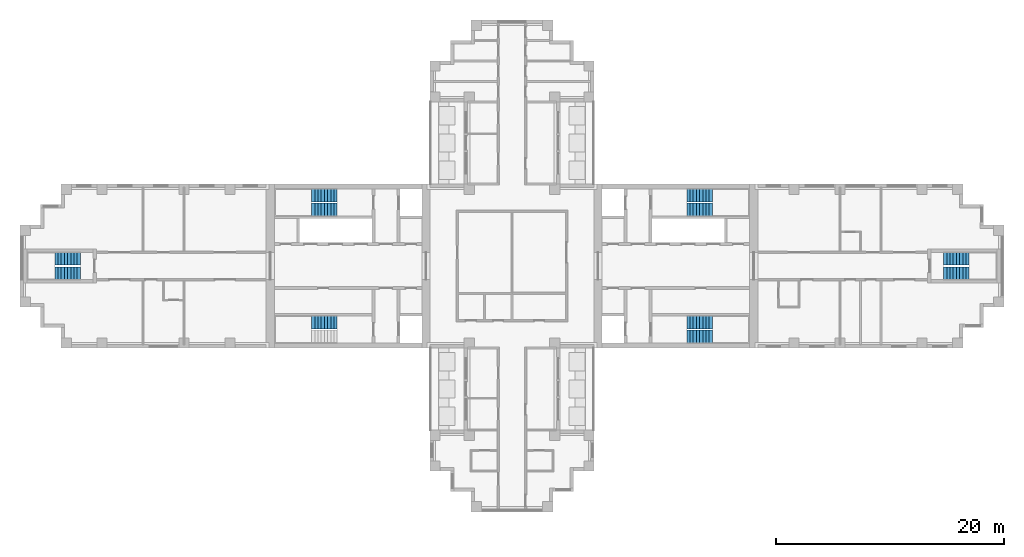
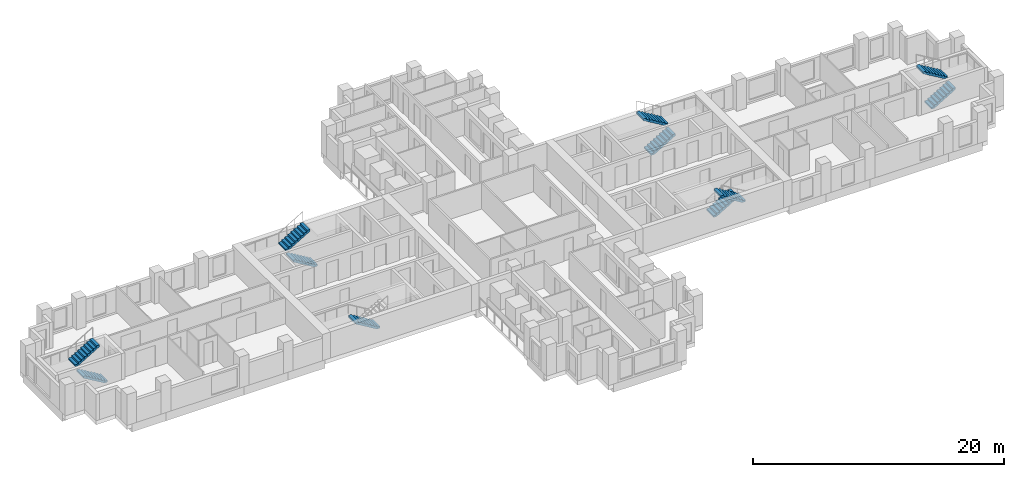
# One storey, part 10 of 12: 11 stair flights, 6 elements without a shape of their own.
"""IFC4 building model written with IfcOpenShell, lengths in metres."""

from ifc_helpers import new_model, si_unit, direction, frame, origin, place, context, subcontext, project, spatial, polyline, outline, extrude, material, type_object, element, aggregate, save


model = new_model("IFC4")

# Units and contexts
model_context = context("Model", 3, precision=1e-05, world=origin(), true_north=direction((0.0, 1.0)))
body_context = subcontext(model_context, "Body", "Model", "MODEL_VIEW")
ifc_project = project(units=[si_unit("LENGTHUNIT", "METRE"), si_unit("AREAUNIT", "SQUARE_METRE"), si_unit("VOLUMEUNIT", "CUBIC_METRE"), si_unit("PLANEANGLEUNIT", "RADIAN"), si_unit("MASSUNIT", "GRAM", prefix="KILO")], contexts=[model_context])

# Site, building, storey
site_placement = place(None, origin())
site = spatial("IfcSite", under=ifc_project, at=site_placement, CompositionType="ELEMENT")
building_placement = place(site_placement, origin())
building = spatial("IfcBuilding", under=site, at=building_placement, Name="Fustian Cross Tower", CompositionType="ELEMENT")
storey_placement = place(building_placement, frame((0.0, 0.0, 159.300048828125)))
storey = spatial("IfcBuildingStorey", under=building, at=storey_placement, Name="L50", CompositionType="ELEMENT", Elevation=159.300048828125)

# Stair, stair flights
ifc_material_1 = material(Name="Concrete C50/60", Category="concrete")
stair_type_1 = type_object("IfcStairType", Name="STAIR 1100 HALF TURN", PredefinedType="HALF_TURN_STAIR", material=ifc_material_1)
stair_1_placement = place(storey_placement, origin())
stair_1 = element("IfcStair", 1, at=stair_1_placement, inside=storey, type_object=stair_type_1, Name="Stair ST8", PredefinedType="HALF_TURN_STAIR")
ifc_material_2 = material(Name="Concrete C50/60", Category="concrete")
stair_flight_type_1 = type_object("IfcStairFlightType", Name="STAIR FLIGHT 1100", PredefinedType="STRAIGHT", material=ifc_material_2)
stair_flight_1_placement = place(storey_placement, frame((37.89990234375, -0.64990234375, 0.0), z_axis=(0.0, 0.0, 1.0), x_axis=(1.0, 0.0, 0.0)))
stair_flight_1 = element("IfcStairFlight", 2, at=stair_flight_1_placement, type_object=stair_flight_type_1, Name="ST8 flight 1", NumberOfRisers=9, NumberOfTreads=8, PredefinedType="STRAIGHT", RiserHeight=0.166666667, TreadLength=0.28, context=body_context, shape_type="SweptSolid", body=[
    extrude(outline(polyline([(0.0, 0.0), (0.0, 0.166748046875), (0.280029296875, 0.166748046875), (0.280029296875, 0.333251953125), (0.56005859375, 0.333251953125), (0.56005859375, 0.5), (0.840087890625, 0.5), (0.840087890625, 0.666748046875), (1.1201171875, 0.666748046875), (1.1201171875, 0.833251953125), (1.39990234375, 0.833251953125), (1.39990234375, 1.0), (1.679931640625, 1.0), (1.679931640625, 1.166748046875), (1.9599609375, 1.166748046875), (1.9599609375, 1.333251953125), (2.239990234375, 1.333251953125), (2.239990234375, 1.5), (2.239990234375, 1.158935546875), (0.29296875, 0.0), (0.0, 0.0)])), frame((0.0, 0.550048828125, 0.0), z_axis=(0.0, -1.0, 0.0), x_axis=(1.0, 0.0, 0.0)), (0.0, 0.0, 1.0), 1.10009765625),
])
stair_flight_2_placement = place(storey_placement, frame((40.139892578125, 0.64990234375, 1.5), z_axis=(0.0, 0.0, 1.0), x_axis=(-1.0, 0.0, 0.0)))
stair_flight_2 = element("IfcStairFlight", 3, at=stair_flight_2_placement, type_object=stair_flight_type_1, Name="ST8 flight 2", NumberOfRisers=9, NumberOfTreads=8, PredefinedType="STRAIGHT", RiserHeight=0.166666667, TreadLength=0.28, context=body_context, shape_type="SweptSolid", body=[
    extrude(outline(polyline([(0.0, 0.0), (0.0, 0.166748046875), (0.280029296875, 0.166748046875), (0.280029296875, 0.333251953125), (0.56005859375, 0.333251953125), (0.56005859375, 0.5), (0.840087890625, 0.5), (0.840087890625, 0.666748046875), (1.1201171875, 0.666748046875), (1.1201171875, 0.833251953125), (1.39990234375, 0.833251953125), (1.39990234375, 1.0), (1.679931640625, 1.0), (1.679931640625, 1.166748046875), (1.9599609375, 1.166748046875), (1.9599609375, 1.333251953125), (2.239990234375, 1.333251953125), (2.239990234375, 1.5), (2.239990234375, 1.158935546875), (0.29296875, 0.0), (0.0, 0.0)])), frame((0.0, 0.550048828125, 0.0), z_axis=(0.0, -1.0, 0.0), x_axis=(1.0, 0.0, 0.0)), (0.0, 0.0, 1.0), 1.10009765625),
])
aggregate(stair_1, [stair_flight_1, stair_flight_2])

stair_2_placement = place(storey_placement, origin())
stair_2 = element("IfcStair", 4, at=stair_2_placement, inside=storey, type_object=stair_type_1, Name="Stair ST9", PredefinedType="HALF_TURN_STAIR")
stair_flight_3_placement = place(storey_placement, frame((-37.89990234375, -0.64990234375, 0.0), z_axis=(0.0, 0.0, 1.0), x_axis=(-1.0, 0.0, 0.0)))
stair_flight_3 = element("IfcStairFlight", 5, at=stair_flight_3_placement, type_object=stair_flight_type_1, Name="ST9 flight 1", NumberOfRisers=9, NumberOfTreads=8, PredefinedType="STRAIGHT", RiserHeight=0.166666667, TreadLength=0.28, context=body_context, shape_type="SweptSolid", body=[
    extrude(outline(polyline([(0.0, 0.0), (0.0, 0.166748046875), (0.280029296875, 0.166748046875), (0.280029296875, 0.333251953125), (0.56005859375, 0.333251953125), (0.56005859375, 0.5), (0.840087890625, 0.5), (0.840087890625, 0.666748046875), (1.1201171875, 0.666748046875), (1.1201171875, 0.833251953125), (1.39990234375, 0.833251953125), (1.39990234375, 1.0), (1.679931640625, 1.0), (1.679931640625, 1.166748046875), (1.9599609375, 1.166748046875), (1.9599609375, 1.333251953125), (2.239990234375, 1.333251953125), (2.239990234375, 1.5), (2.239990234375, 1.158935546875), (0.29296875, 0.0), (0.0, 0.0)])), frame((0.0, 0.550048828125, 0.0), z_axis=(0.0, -1.0, 0.0), x_axis=(1.0, 0.0, 0.0)), (0.0, 0.0, 1.0), 1.10009765625),
])
stair_flight_4_placement = place(storey_placement, frame((-40.139892578125, 0.64990234375, 1.5), z_axis=(0.0, 0.0, 1.0), x_axis=(1.0, 0.0, 0.0)))
stair_flight_4 = element("IfcStairFlight", 6, at=stair_flight_4_placement, type_object=stair_flight_type_1, Name="ST9 flight 2", NumberOfRisers=9, NumberOfTreads=8, PredefinedType="STRAIGHT", RiserHeight=0.166666667, TreadLength=0.28, context=body_context, shape_type="SweptSolid", body=[
    extrude(outline(polyline([(0.0, 0.0), (0.0, 0.166748046875), (0.280029296875, 0.166748046875), (0.280029296875, 0.333251953125), (0.56005859375, 0.333251953125), (0.56005859375, 0.5), (0.840087890625, 0.5), (0.840087890625, 0.666748046875), (1.1201171875, 0.666748046875), (1.1201171875, 0.833251953125), (1.39990234375, 0.833251953125), (1.39990234375, 1.0), (1.679931640625, 1.0), (1.679931640625, 1.166748046875), (1.9599609375, 1.166748046875), (1.9599609375, 1.333251953125), (2.239990234375, 1.333251953125), (2.239990234375, 1.5), (2.239990234375, 1.158935546875), (0.29296875, 0.0), (0.0, 0.0)])), frame((0.0, 0.550048828125, 0.0), z_axis=(0.0, -1.0, 0.0), x_axis=(1.0, 0.0, 0.0)), (0.0, 0.0, 1.0), 1.10009765625),
])
aggregate(stair_2, [stair_flight_3, stair_flight_4])

ifc_material_3 = material(Name="Concrete C50/60", Category="concrete")
stair_type_2 = type_object("IfcStairType", Name="STAIR 1150 HALF TURN", PredefinedType="HALF_TURN_STAIR", material=ifc_material_3)
stair_3_placement = place(storey_placement, origin())
stair_3 = element("IfcStair", 7, at=stair_3_placement, inside=storey, type_object=stair_type_2, Name="Stair ST1", PredefinedType="HALF_TURN_STAIR")
ifc_material_4 = material(Name="Concrete C50/60", Category="concrete")
stair_flight_type_2 = type_object("IfcStairFlightType", Name="STAIR FLIGHT 1150", PredefinedType="STRAIGHT", material=ifc_material_4)
stair_flight_5_placement = place(storey_placement, frame((15.35009765625, 4.97509765625, 0.0), z_axis=(0.0, 0.0, 1.0), x_axis=(1.0, 0.0, 0.0)))
stair_flight_5 = element("IfcStairFlight", 8, at=stair_flight_5_placement, type_object=stair_flight_type_2, Name="ST1 flight 1", NumberOfRisers=9, NumberOfTreads=8, PredefinedType="STRAIGHT", RiserHeight=0.166666667, TreadLength=0.28, context=body_context, shape_type="SweptSolid", body=[
    extrude(outline(polyline([(0.0, 0.0), (0.0, 0.166748046875), (0.280029296875, 0.166748046875), (0.280029296875, 0.333251953125), (0.56005859375, 0.333251953125), (0.56005859375, 0.5), (0.840087890625, 0.5), (0.840087890625, 0.666748046875), (1.1201171875, 0.666748046875), (1.1201171875, 0.833251953125), (1.39990234375, 0.833251953125), (1.39990234375, 1.0), (1.679931640625, 1.0), (1.679931640625, 1.166748046875), (1.9599609375, 1.166748046875), (1.9599609375, 1.333251953125), (2.239990234375, 1.333251953125), (2.239990234375, 1.5), (2.239990234375, 1.158935546875), (0.29296875, 0.0), (0.0, 0.0)])), frame((0.0, 0.574951171875, 0.0), z_axis=(0.0, -1.0, 0.0), x_axis=(1.0, 0.0, 0.0)), (0.0, 0.0, 1.0), 1.14990234375),
])
stair_flight_6_placement = place(storey_placement, frame((17.590087890625, 6.175048828125, 1.5), z_axis=(0.0, 0.0, 1.0), x_axis=(-1.0, 0.0, 0.0)))
stair_flight_6 = element("IfcStairFlight", 9, at=stair_flight_6_placement, type_object=stair_flight_type_2, Name="ST1 flight 2", NumberOfRisers=9, NumberOfTreads=8, PredefinedType="STRAIGHT", RiserHeight=0.166666667, TreadLength=0.28, context=body_context, shape_type="SweptSolid", body=[
    extrude(outline(polyline([(0.0, 0.0), (0.0, 0.166748046875), (0.280029296875, 0.166748046875), (0.280029296875, 0.333251953125), (0.56005859375, 0.333251953125), (0.56005859375, 0.5), (0.840087890625, 0.5), (0.840087890625, 0.666748046875), (1.1201171875, 0.666748046875), (1.1201171875, 0.833251953125), (1.39990234375, 0.833251953125), (1.39990234375, 1.0), (1.679931640625, 1.0), (1.679931640625, 1.166748046875), (1.9599609375, 1.166748046875), (1.9599609375, 1.333251953125), (2.239990234375, 1.333251953125), (2.239990234375, 1.5), (2.239990234375, 1.158935546875), (0.29296875, 0.0), (0.0, 0.0)])), frame((0.0, 0.574951171875, 0.0), z_axis=(0.0, -1.0, 0.0), x_axis=(1.0, 0.0, 0.0)), (0.0, 0.0, 1.0), 1.14990234375),
])
aggregate(stair_3, [stair_flight_5, stair_flight_6])

stair_4_placement = place(storey_placement, origin())
stair_4 = element("IfcStair", 10, at=stair_4_placement, inside=storey, type_object=stair_type_2, Name="Stair ST2", PredefinedType="HALF_TURN_STAIR")
stair_flight_7_placement = place(storey_placement, frame((15.35009765625, -4.97509765625, 0.0), z_axis=(0.0, 0.0, 1.0), x_axis=(1.0, 0.0, 0.0)))
stair_flight_7 = element("IfcStairFlight", 11, at=stair_flight_7_placement, type_object=stair_flight_type_2, Name="ST2 flight 1", NumberOfRisers=9, NumberOfTreads=8, PredefinedType="STRAIGHT", RiserHeight=0.166666667, TreadLength=0.28, context=body_context, shape_type="SweptSolid", body=[
    extrude(outline(polyline([(0.0, 0.0), (0.0, 0.166748046875), (0.280029296875, 0.166748046875), (0.280029296875, 0.333251953125), (0.56005859375, 0.333251953125), (0.56005859375, 0.5), (0.840087890625, 0.5), (0.840087890625, 0.666748046875), (1.1201171875, 0.666748046875), (1.1201171875, 0.833251953125), (1.39990234375, 0.833251953125), (1.39990234375, 1.0), (1.679931640625, 1.0), (1.679931640625, 1.166748046875), (1.9599609375, 1.166748046875), (1.9599609375, 1.333251953125), (2.239990234375, 1.333251953125), (2.239990234375, 1.5), (2.239990234375, 1.158935546875), (0.29296875, 0.0), (0.0, 0.0)])), frame((0.0, 0.574951171875, 0.0), z_axis=(0.0, -1.0, 0.0), x_axis=(1.0, 0.0, 0.0)), (0.0, 0.0, 1.0), 1.14990234375),
])
stair_flight_8_placement = place(storey_placement, frame((17.590087890625, -6.175048828125, 1.5), z_axis=(0.0, 0.0, 1.0), x_axis=(-1.0, 0.0, 0.0)))
stair_flight_8 = element("IfcStairFlight", 12, at=stair_flight_8_placement, type_object=stair_flight_type_2, Name="ST2 flight 2", NumberOfRisers=9, NumberOfTreads=8, PredefinedType="STRAIGHT", RiserHeight=0.166666667, TreadLength=0.28, context=body_context, shape_type="SweptSolid", body=[
    extrude(outline(polyline([(0.0, 0.0), (0.0, 0.166748046875), (0.280029296875, 0.166748046875), (0.280029296875, 0.333251953125), (0.56005859375, 0.333251953125), (0.56005859375, 0.5), (0.840087890625, 0.5), (0.840087890625, 0.666748046875), (1.1201171875, 0.666748046875), (1.1201171875, 0.833251953125), (1.39990234375, 0.833251953125), (1.39990234375, 1.0), (1.679931640625, 1.0), (1.679931640625, 1.166748046875), (1.9599609375, 1.166748046875), (1.9599609375, 1.333251953125), (2.239990234375, 1.333251953125), (2.239990234375, 1.5), (2.239990234375, 1.158935546875), (0.29296875, 0.0), (0.0, 0.0)])), frame((0.0, 0.574951171875, 0.0), z_axis=(0.0, -1.0, 0.0), x_axis=(1.0, 0.0, 0.0)), (0.0, 0.0, 1.0), 1.14990234375),
])
aggregate(stair_4, [stair_flight_7, stair_flight_8])

stair_5_placement = place(storey_placement, origin())
stair_5 = element("IfcStair", 13, at=stair_5_placement, inside=storey, type_object=stair_type_2, Name="Stair ST3", PredefinedType="HALF_TURN_STAIR")
stair_flight_9_placement = place(storey_placement, frame((-15.35009765625, 4.97509765625, 0.0), z_axis=(0.0, 0.0, 1.0), x_axis=(-1.0, 0.0, 0.0)))
stair_flight_9 = element("IfcStairFlight", 14, at=stair_flight_9_placement, type_object=stair_flight_type_2, Name="ST3 flight 1", NumberOfRisers=9, NumberOfTreads=8, PredefinedType="STRAIGHT", RiserHeight=0.166666667, TreadLength=0.28, context=body_context, shape_type="SweptSolid", body=[
    extrude(outline(polyline([(0.0, 0.0), (0.0, 0.166748046875), (0.280029296875, 0.166748046875), (0.280029296875, 0.333251953125), (0.56005859375, 0.333251953125), (0.56005859375, 0.5), (0.840087890625, 0.5), (0.840087890625, 0.666748046875), (1.1201171875, 0.666748046875), (1.1201171875, 0.833251953125), (1.39990234375, 0.833251953125), (1.39990234375, 1.0), (1.679931640625, 1.0), (1.679931640625, 1.166748046875), (1.9599609375, 1.166748046875), (1.9599609375, 1.333251953125), (2.239990234375, 1.333251953125), (2.239990234375, 1.5), (2.239990234375, 1.158935546875), (0.29296875, 0.0), (0.0, 0.0)])), frame((0.0, 0.574951171875, 0.0), z_axis=(0.0, -1.0, 0.0), x_axis=(1.0, 0.0, 0.0)), (0.0, 0.0, 1.0), 1.14990234375),
])
stair_flight_10_placement = place(storey_placement, frame((-17.590087890625, 6.175048828125, 1.5), z_axis=(0.0, 0.0, 1.0), x_axis=(1.0, 0.0, 0.0)))
stair_flight_10 = element("IfcStairFlight", 15, at=stair_flight_10_placement, type_object=stair_flight_type_2, Name="ST3 flight 2", NumberOfRisers=9, NumberOfTreads=8, PredefinedType="STRAIGHT", RiserHeight=0.166666667, TreadLength=0.28, context=body_context, shape_type="SweptSolid", body=[
    extrude(outline(polyline([(0.0, 0.0), (0.0, 0.166748046875), (0.280029296875, 0.166748046875), (0.280029296875, 0.333251953125), (0.56005859375, 0.333251953125), (0.56005859375, 0.5), (0.840087890625, 0.5), (0.840087890625, 0.666748046875), (1.1201171875, 0.666748046875), (1.1201171875, 0.833251953125), (1.39990234375, 0.833251953125), (1.39990234375, 1.0), (1.679931640625, 1.0), (1.679931640625, 1.166748046875), (1.9599609375, 1.166748046875), (1.9599609375, 1.333251953125), (2.239990234375, 1.333251953125), (2.239990234375, 1.5), (2.239990234375, 1.158935546875), (0.29296875, 0.0), (0.0, 0.0)])), frame((0.0, 0.574951171875, 0.0), z_axis=(0.0, -1.0, 0.0), x_axis=(1.0, 0.0, 0.0)), (0.0, 0.0, 1.0), 1.14990234375),
])
aggregate(stair_5, [stair_flight_9, stair_flight_10])

# Stair, stair flight
stair_6_placement = place(storey_placement, origin())
stair_6 = element("IfcStair", 16, at=stair_6_placement, inside=storey, type_object=stair_type_2, Name="Stair ST4", PredefinedType="HALF_TURN_STAIR")
stair_flight_11_placement = place(storey_placement, frame((-15.35009765625, -4.97509765625, 0.0), z_axis=(0.0, 0.0, 1.0), x_axis=(-1.0, 0.0, 0.0)))
stair_flight_11 = element("IfcStairFlight", 17, at=stair_flight_11_placement, type_object=stair_flight_type_2, Name="ST4 flight 1", NumberOfRisers=9, NumberOfTreads=8, PredefinedType="STRAIGHT", RiserHeight=0.166666667, TreadLength=0.28, context=body_context, shape_type="SweptSolid", body=[
    extrude(outline(polyline([(0.0, 0.0), (0.0, 0.166748046875), (0.280029296875, 0.166748046875), (0.280029296875, 0.333251953125), (0.56005859375, 0.333251953125), (0.56005859375, 0.5), (0.840087890625, 0.5), (0.840087890625, 0.666748046875), (1.1201171875, 0.666748046875), (1.1201171875, 0.833251953125), (1.39990234375, 0.833251953125), (1.39990234375, 1.0), (1.679931640625, 1.0), (1.679931640625, 1.166748046875), (1.9599609375, 1.166748046875), (1.9599609375, 1.333251953125), (2.239990234375, 1.333251953125), (2.239990234375, 1.5), (2.239990234375, 1.158935546875), (0.29296875, 0.0), (0.0, 0.0)])), frame((0.0, 0.574951171875, 0.0), z_axis=(0.0, -1.0, 0.0), x_axis=(1.0, 0.0, 0.0)), (0.0, 0.0, 1.0), 1.14990234375),
])
aggregate(stair_6, [stair_flight_11])

save(model, "model.ifc")
